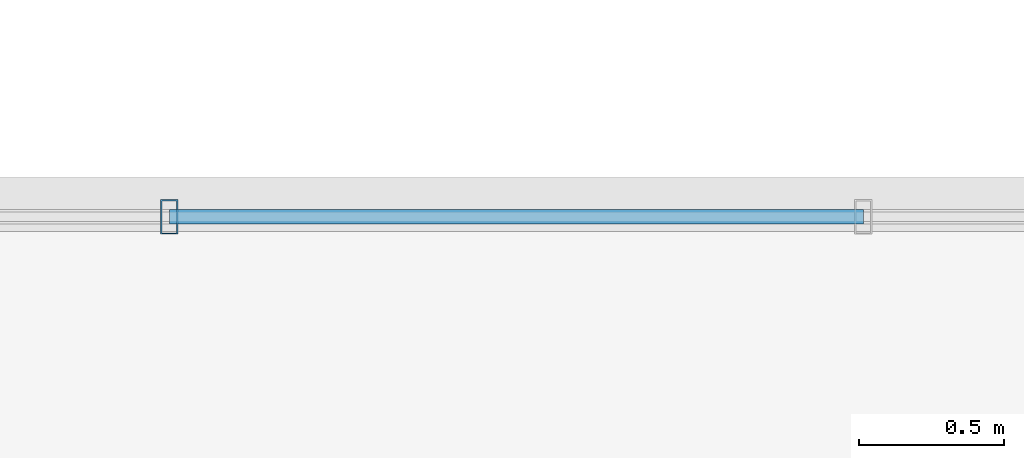
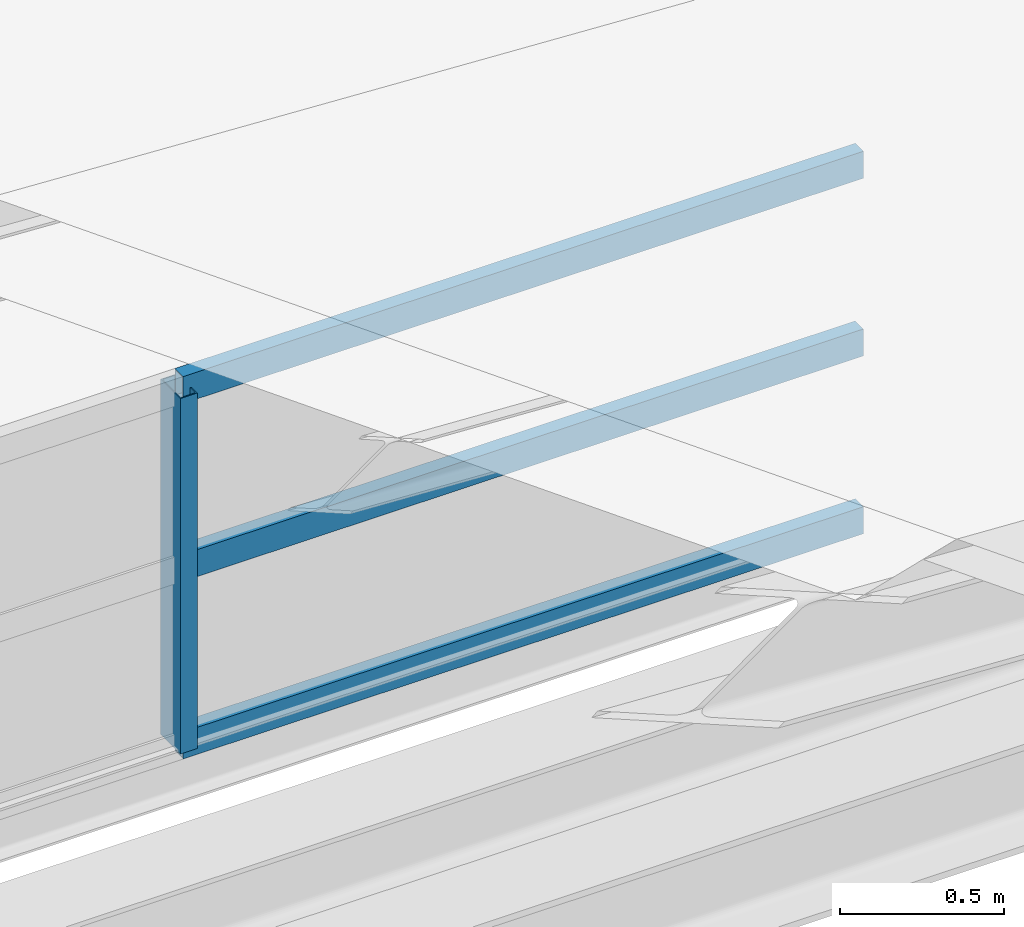
# One storey, part 50 of 141: 4 members, 1 element without a shape of its own.
"""IFC4 building model written with IfcOpenShell, lengths in metres."""

from ifc_helpers import new_model, si_unit, direction, frame, origin, origin_2d, place, context, subcontext, project, spatial, hollow_rectangle, extrude, material, material_profile, profile_set, type_object, element, aggregate, save


model = new_model("IFC4")

# Units and contexts
model_context = context("Model", 3, precision=1e-05, world=origin(), true_north=direction((0.0, 1.0)))
body_context = subcontext(model_context, "Body", "Model", "MODEL_VIEW")
ifc_project = project(units=[si_unit("LENGTHUNIT", "METRE"), si_unit("AREAUNIT", "SQUARE_METRE"), si_unit("VOLUMEUNIT", "CUBIC_METRE"), si_unit("PLANEANGLEUNIT", "RADIAN"), si_unit("MASSUNIT", "GRAM", prefix="KILO")], contexts=[model_context])

# Site, building, storey
site_placement = place(None, origin())
site = spatial("IfcSite", under=ifc_project, at=site_placement, CompositionType="ELEMENT")
building_placement = place(site_placement, origin())
building = spatial("IfcBuilding", under=site, at=building_placement, Name="Sundkrona Museum", CompositionType="ELEMENT")
storey_placement = place(building_placement, frame((0.0, 0.0, 34.0)))
storey = spatial("IfcBuildingStorey", under=building, at=storey_placement, Name="RF", CompositionType="ELEMENT", Elevation=34.0)

# Curtain wall, members
ifc_material_1 = material(Name="Unitised Aluminium-Steel and Ceramic-Clad Curtain Walling", Category="steel")
curtain_wall_type = type_object("IfcCurtainWallType", Name="CW-SW-240x13", PredefinedType="NOTDEFINED", material=ifc_material_1)
curtain_wall_placement = place(storey_placement, origin())
curtain_wall = element("IfcCurtainWall", 1, at=curtain_wall_placement, inside=storey, type_object=curtain_wall_type, Name="Sawtooth Bay 1 East North-Light Clerestory", PredefinedType="NOTDEFINED")
ifc_material_2 = material(Name="Aluminium EN AW-6060 T66", Category="aluminium")
ifc_material_profile_1 = material_profile(ifc_material_2, hollow_rectangle(XDim=0.06005859375, YDim=0.1201171875, WallThickness=0.0048828125, at=origin_2d()), Name="RHS 120x60x5.0")
ifc_profile_set_1 = profile_set([ifc_material_profile_1], Name="Aluminium EN AW-6060 T66")
member_type_1 = type_object("IfcMemberType", Name="ML-120", PredefinedType="MULLION", material=ifc_profile_set_1)
member_1_placement = place(storey_placement, frame((153.610107421875, 2.199951171875, 2.212890625), z_axis=(0.0, 0.0, 1.0), x_axis=(1.0, 0.0, 0.0)))
member_1 = element("IfcMember", 2, at=member_1_placement, type_object=member_type_1, Name="CW-RF-SAW-01E Mullion 05", PredefinedType="MULLION", context=body_context, shape_type="SweptSolid", body=[
    extrude(hollow_rectangle(XDim=0.06005859375, YDim=0.1201171875, WallThickness=0.0048828125, at=origin_2d()), origin(), (0.0, 0.0, 1.0), 1.320068359375),
])
ifc_material_profile_2 = material_profile(ifc_material_2, hollow_rectangle(XDim=0.050048828125, YDim=0.10009765625, WallThickness=0.0048828125, at=origin_2d()), Name="RHS 100x50x5.0")
ifc_profile_set_2 = profile_set([ifc_material_profile_2], Name="Aluminium EN AW-6060 T66")
member_type_2 = type_object("IfcMemberType", Name="TR-100", PredefinedType="USERDEFINED", material=ifc_profile_set_2)
member_2_placement = place(storey_placement, frame((153.610107421875, 2.199951171875, 2.212890625), z_axis=(1.0, 0.0, 0.0), x_axis=(0.0, 1.0, 0.0)))
member_2 = element("IfcMember", 3, at=member_2_placement, type_object=member_type_2, Name="CW-RF-SAW-01E Transom 13", ObjectType="TRANSOM", PredefinedType="USERDEFINED", context=body_context, shape_type="SweptSolid", body=[
    extrude(hollow_rectangle(XDim=0.050048828125, YDim=0.10009765625, WallThickness=0.0048828125, at=origin_2d()), origin(), (0.0, 0.0, 1.0), 2.389892578125),
])
member_3_placement = place(storey_placement, frame((153.610107421875, 2.199951171875, 2.873046875), z_axis=(1.0, 0.0, 0.0), x_axis=(0.0, 1.0, 0.0)))
member_3 = element("IfcMember", 4, at=member_3_placement, type_object=member_type_2, Name="CW-RF-SAW-01E Transom 14", ObjectType="TRANSOM", PredefinedType="USERDEFINED", context=body_context, shape_type="SweptSolid", body=[
    extrude(hollow_rectangle(XDim=0.050048828125, YDim=0.10009765625, WallThickness=0.0048828125, at=origin_2d()), origin(), (0.0, 0.0, 1.0), 2.389892578125),
])
member_4_placement = place(storey_placement, frame((153.610107421875, 2.199951171875, 3.532958984375), z_axis=(1.0, 0.0, 0.0), x_axis=(0.0, 1.0, 0.0)))
member_4 = element("IfcMember", 5, at=member_4_placement, type_object=member_type_2, Name="CW-RF-SAW-01E Transom 15", ObjectType="TRANSOM", PredefinedType="USERDEFINED", context=body_context, shape_type="SweptSolid", body=[
    extrude(hollow_rectangle(XDim=0.050048828125, YDim=0.10009765625, WallThickness=0.0048828125, at=origin_2d()), origin(), (0.0, 0.0, 1.0), 2.389892578125),
])
aggregate(curtain_wall, [member_1, member_2, member_3, member_4])

save(model, "model.ifc")
